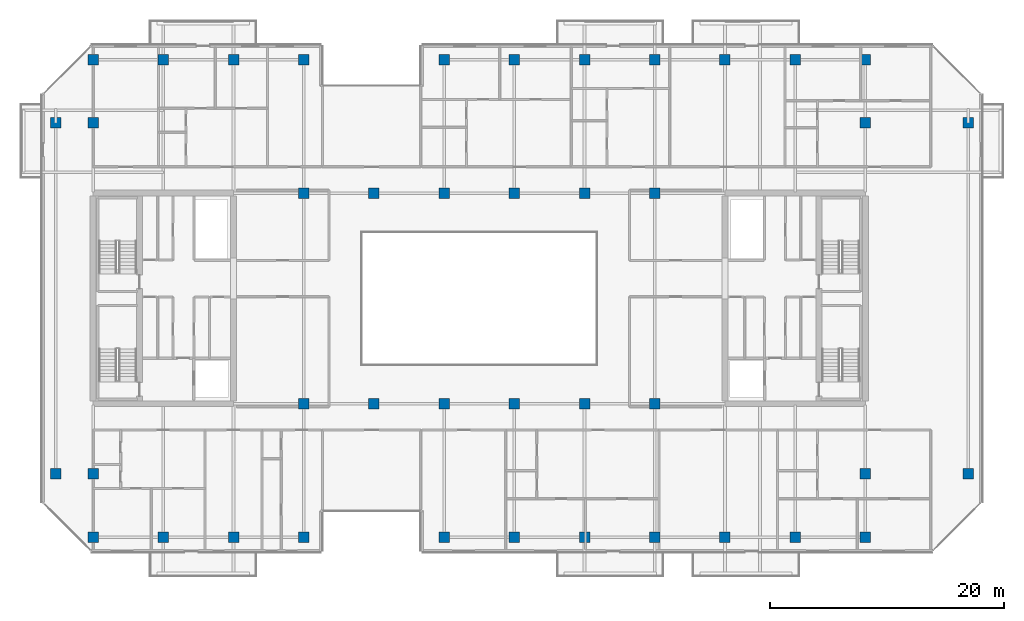
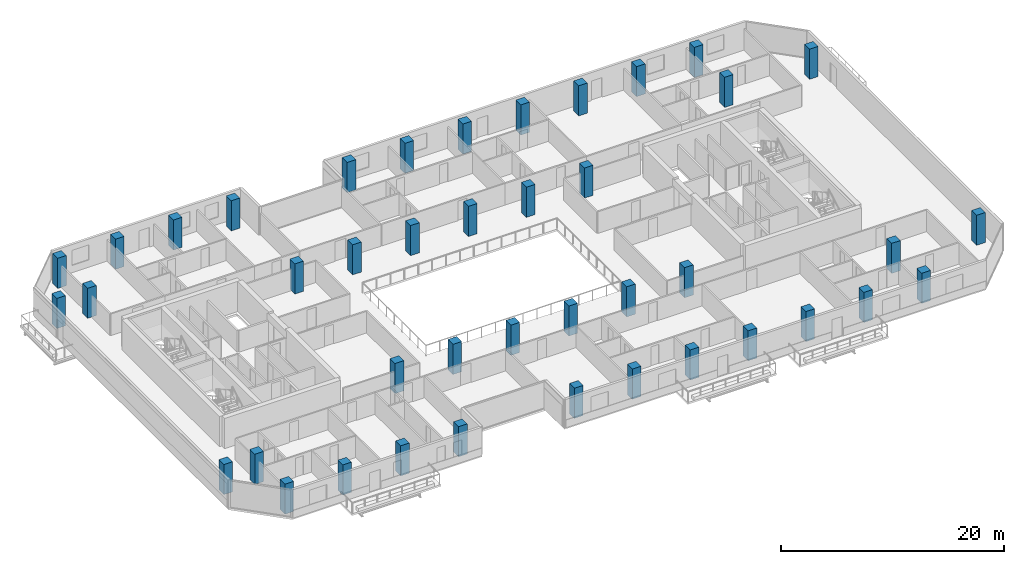
# One storey, part 1 of 29: 42 columns.
"""IFC4 building model written with IfcOpenShell, lengths in metres."""

from ifc_helpers import new_model, si_unit, direction, frame, origin, origin_2d, place, context, subcontext, project, spatial, rectangle, extrude, material, material_profile, profile_set, type_object, element, save


model = new_model("IFC4")

# Units and contexts
model_context = context("Model", 3, precision=1e-05, world=origin(), true_north=direction((0.0, 1.0)))
body_context = subcontext(model_context, "Body", "Model", "MODEL_VIEW")
ifc_project = project(units=[si_unit("LENGTHUNIT", "METRE"), si_unit("AREAUNIT", "SQUARE_METRE"), si_unit("VOLUMEUNIT", "CUBIC_METRE"), si_unit("PLANEANGLEUNIT", "RADIAN"), si_unit("MASSUNIT", "GRAM", prefix="KILO")], contexts=[model_context])

# Site, building, storey
site_placement = place(None, origin())
site = spatial("IfcSite", under=ifc_project, at=site_placement, CompositionType="ELEMENT")
building_placement = place(site_placement, origin())
building = spatial("IfcBuilding", under=site, at=building_placement, Name="Tanjung Sevakor Pilgrim Tower", CompositionType="ELEMENT")
storey_placement = place(building_placement, frame((0.0, 0.0, 151.800048828125)))
storey = spatial("IfcBuildingStorey", under=building, at=storey_placement, Name="L42", CompositionType="ELEMENT", Elevation=151.800048828125)

# Columns
ifc_material = material(Name="Concrete C60/75", Category="concrete")
ifc_material_profile = material_profile(ifc_material, rectangle(XDim=0.89990234375, YDim=0.89990234375, at=origin_2d()))
ifc_profile_set = profile_set([ifc_material_profile], Name="Concrete C60/75")
column_type = type_object("IfcColumnType", Name="COL-C-T900-RC_900x900", PredefinedType="COLUMN", material=ifc_profile_set)
for number, where, z_axis, x_axis, name in (
    (1, (42.0, 24.60009765625, 0.0), (0.0, 0.0, 1.0), (1.0, 0.0, 0.0), "L42 Column SPW-042-246"),
    (2, (42.0, 42.60009765625, 0.0), (0.0, 0.0, 1.0), (1.0, 0.0, 0.0), "L42 Column SPW-042-426"),
    (3, (48.0, 24.60009765625, 0.0), (0.0, 0.0, 1.0), (1.0, 0.0, 0.0), "L42 Column SPW-048-246"),
    (4, (48.0, 42.60009765625, 0.0), (0.0, 0.0, 1.0), (1.0, 0.0, 0.0), "L42 Column SPW-048-426"),
    (5, (54.0, 24.60009765625, 0.0), (0.0, 0.0, 1.0), (1.0, 0.0, 0.0), "L42 Column SPE-054-246"),
    (6, (54.0, 42.60009765625, 0.0), (0.0, 0.0, 1.0), (1.0, 0.0, 0.0), "L42 Column SPE-054-426"),
    (7, (60.0, 24.60009765625, 0.0), (0.0, 0.0, 1.0), (1.0, 0.0, 0.0), "L42 Column SPE-060-246"),
    (8, (60.0, 42.60009765625, 0.0), (0.0, 0.0, 1.0), (1.0, 0.0, 0.0), "L42 Column SPE-060-426"),
    (9, (66.0, 24.60009765625, 0.0), (0.0, 0.0, 1.0), (1.0, 0.0, 0.0), "L42 Column SPE-066-246"),
    (10, (66.0, 42.60009765625, 0.0), (0.0, 0.0, 1.0), (1.0, 0.0, 0.0), "L42 Column SPE-066-426"),
    (11, (72.0, 24.60009765625, 0.0), (0.0, 0.0, 1.0), (1.0, 0.0, 0.0), "L42 Column SPE-072-246"),
    (12, (72.0, 42.60009765625, 0.0), (0.0, 0.0, 1.0), (1.0, 0.0, 0.0), "L42 Column SPE-072-426"),
    (13, (20.800048828125, 18.60009765625, 0.0), (0.0, 0.0, 1.0), (1.0, 0.0, 0.0), "L42 Column TCE-0208-186"),
    (14, (20.800048828125, 48.60009765625, 0.0), (0.0, 0.0, 1.0), (1.0, 0.0, 0.0), "L42 Column TCE-0208-486"),
    (15, (24.0, 18.60009765625, 0.0), (0.0, 0.0, 1.0), (1.0, 0.0, 0.0), "L42 Column TCE-0240-186"),
    (16, (24.0, 48.60009765625, 0.0), (0.0, 0.0, 1.0), (1.0, 0.0, 0.0), "L42 Column TCE-0240-486"),
    (17, (90.0, 18.60009765625, 0.0), (0.0, 0.0, 1.0), (1.0, 0.0, 0.0), "L42 Column TCE-0900-186"),
    (18, (90.0, 48.60009765625, 0.0), (0.0, 0.0, 1.0), (1.0, 0.0, 0.0), "L42 Column TCE-0900-486"),
    (19, (98.800048828125, 18.60009765625, 0.0), (0.0, 0.0, 1.0), (1.0, 0.0, 0.0), "L42 Column TCE-0988-186"),
    (20, (98.800048828125, 48.60009765625, 0.0), (0.0, 0.0, 1.0), (1.0, 0.0, 0.0), "L42 Column TCE-0988-486"),
    (21, (24.0, 13.199951171875, 0.0), (0.0, 0.0, 1.0), (1.0, 0.0, 0.0), "L42 Column TC3-024-132"),
    (22, (24.0, 54.0, 0.0), (0.0, 0.0, 1.0), (1.0, 0.0, 0.0), "L42 Column TC3-024-540"),
    (23, (30.0, 13.199951171875, 0.0), (0.0, 0.0, 1.0), (1.0, 0.0, 0.0), "L42 Column TC3-030-132"),
    (24, (30.0, 54.0, 0.0), (0.0, 0.0, 1.0), (1.0, 0.0, 0.0), "L42 Column TC3-030-540"),
    (25, (36.0, 13.199951171875, 0.0), (0.0, 0.0, 1.0), (1.0, 0.0, 0.0), "L42 Column TC3-036-132"),
    (26, (36.0, 54.0, 0.0), (0.0, 0.0, 1.0), (1.0, 0.0, 0.0), "L42 Column TC3-036-540"),
    (27, (42.0, 13.199951171875, 0.0), (0.0, 0.0, 1.0), (1.0, 0.0, 0.0), "L42 Column TC3-042-132"),
    (28, (42.0, 54.0, 0.0), (0.0, 0.0, 1.0), (1.0, 0.0, 0.0), "L42 Column TC3-042-540"),
    (29, (54.0, 13.199951171875, 0.0), (0.0, 0.0, 1.0), (1.0, 0.0, 0.0), "L42 Column TC3-054-132"),
    (30, (54.0, 54.0, 0.0), (0.0, 0.0, 1.0), (1.0, 0.0, 0.0), "L42 Column TC3-054-540"),
    (31, (60.0, 13.199951171875, 0.0), (0.0, 0.0, 1.0), (1.0, 0.0, 0.0), "L42 Column TC3-060-132"),
    (32, (60.0, 54.0, 0.0), (0.0, 0.0, 1.0), (1.0, 0.0, 0.0), "L42 Column TC3-060-540"),
    (33, (66.0, 13.199951171875, 0.0), (0.0, 0.0, 1.0), (1.0, 0.0, 0.0), "L42 Column TC3-066-132"),
    (34, (66.0, 54.0, 0.0), (0.0, 0.0, 1.0), (1.0, 0.0, 0.0), "L42 Column TC3-066-540"),
    (35, (72.0, 13.199951171875, 0.0), (0.0, 0.0, 1.0), (1.0, 0.0, 0.0), "L42 Column TC3-072-132"),
    (36, (72.0, 54.0, 0.0), (0.0, 0.0, 1.0), (1.0, 0.0, 0.0), "L42 Column TC3-072-540"),
    (37, (78.0, 13.199951171875, 0.0), (0.0, 0.0, 1.0), (1.0, 0.0, 0.0), "L42 Column TC3-078-132"),
    (38, (78.0, 54.0, 0.0), (0.0, 0.0, 1.0), (1.0, 0.0, 0.0), "L42 Column TC3-078-540"),
    (39, (84.0, 13.199951171875, 0.0), (0.0, 0.0, 1.0), (1.0, 0.0, 0.0), "L42 Column TC3-084-132"),
    (40, (84.0, 54.0, 0.0), (0.0, 0.0, 1.0), (1.0, 0.0, 0.0), "L42 Column TC3-084-540"),
    (41, (90.0, 13.199951171875, 0.0), (0.0, 0.0, 1.0), (1.0, 0.0, 0.0), "L42 Column TC3-090-132"),
    (42, (90.0, 54.0, 0.0), (0.0, 0.0, 1.0), (1.0, 0.0, 0.0), "L42 Column TC3-090-540"),
):
    element("IfcColumn", number, at=place(storey_placement, frame(where, z_axis=z_axis, x_axis=x_axis)), inside=storey, type_object=column_type, Name=name, PredefinedType="COLUMN", context=body_context, shape_type="SweptSolid", body=[
        extrude(rectangle(XDim=0.89990234375, YDim=0.89990234375, at=origin_2d()), origin(), (0.0, 0.0, 1.0), 3.300048828125),
    ])

save(model, "model.ifc")
